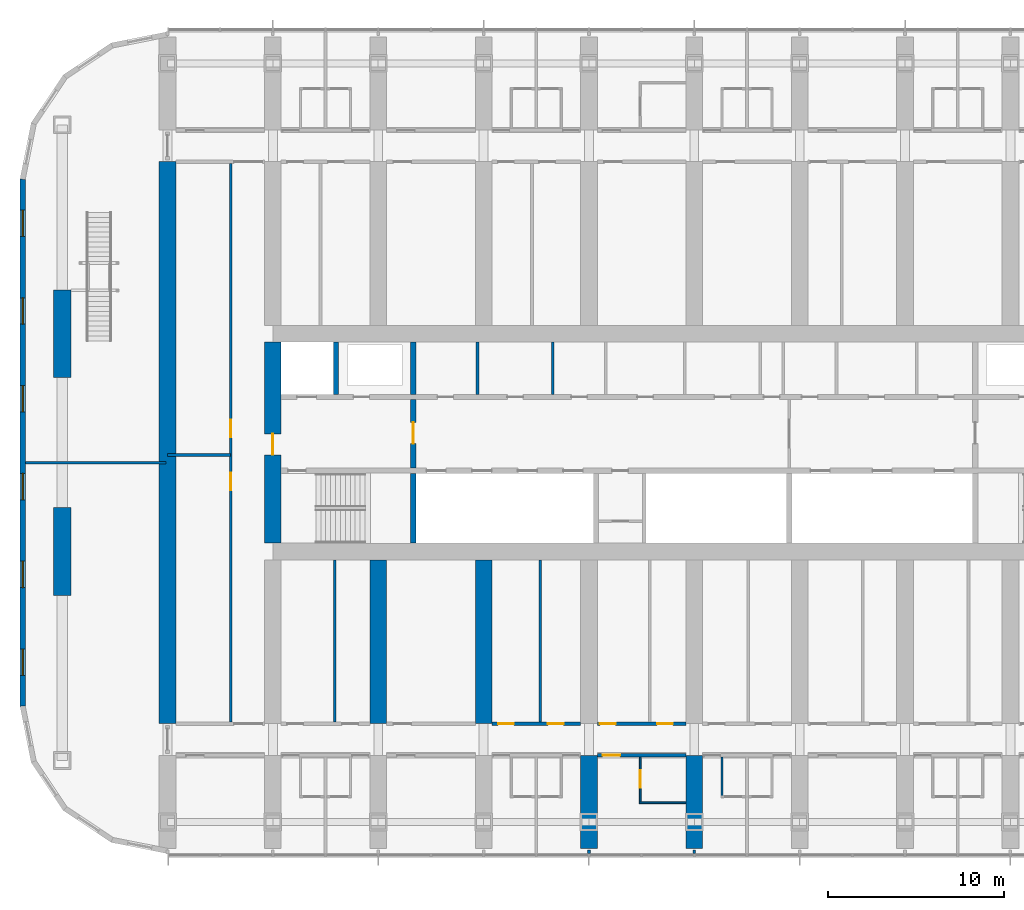
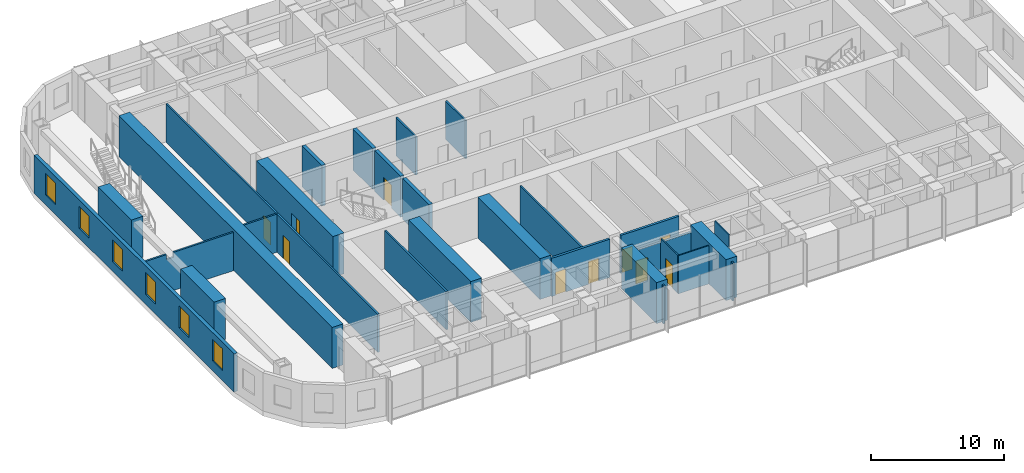
# One storey, part 11 of 25: 28 walls, 10 doors, 6 windows, 16 openings.
"""IFC4 building model written with IfcOpenShell, lengths in metres."""

from ifc_helpers import new_model, si_unit, direction, frame, frame_2d, origin, place, context, subcontext, project, spatial, polyline, rectangle, outline, extrude, material, layer, layer_set, type_object, element, fill, save


model = new_model("IFC4")

# Units and contexts
model_context = context("Model", 3, precision=1e-05, world=origin(), true_north=direction((0.0, 1.0)))
body_context = subcontext(model_context, "Body", "Model", "MODEL_VIEW")
ifc_project = project(units=[si_unit("LENGTHUNIT", "METRE"), si_unit("AREAUNIT", "SQUARE_METRE"), si_unit("VOLUMEUNIT", "CUBIC_METRE"), si_unit("PLANEANGLEUNIT", "RADIAN"), si_unit("MASSUNIT", "GRAM", prefix="KILO")], contexts=[model_context])

# Site, building, storey
site_placement = place(None, origin())
site = spatial("IfcSite", under=ifc_project, at=site_placement, CompositionType="ELEMENT")
building_placement = place(site_placement, origin())
building = spatial("IfcBuilding", under=site, at=building_placement, Name="Orbita Commons", CompositionType="ELEMENT")
storey_placement = place(building_placement, frame((0.0, 0.0, 99.39990234375)))
storey = spatial("IfcBuildingStorey", under=building, at=storey_placement, Name="L24", CompositionType="ELEMENT", Elevation=99.39990234375)

# Wall
ifc_material_1 = material(Name="Concrete C50/60", Category="concrete")
ifc_layer_1 = layer(ifc_material_1, 0.300048828125)
ifc_layer_set_1 = layer_set([ifc_layer_1], Name="Concrete C50/60")
wall_type_1 = type_object("IfcWallType", Name="Core inner wall 300 C50/60", PredefinedType="SHEAR", material=ifc_layer_set_1)
wall_1_placement = place(storey_placement, frame((26.0, 26.27490234375, 0.0), z_axis=(0.0, 0.0, 1.0), x_axis=(0.0, 1.0, 0.0)))
element("IfcWall", 1, at=wall_1_placement, inside=storey, type_object=wall_type_1, Name="Stair S1 wall L24", PredefinedType="SHEAR", context=body_context, shape_type="SweptSolid", body=[
    extrude(rectangle(XDim=3.97509765625, YDim=0.300048828125, at=frame_2d((1.987548828125, 0.0))), origin(), (0.0, 0.0, 1.0), 3.75),
])

# Wall, opening, door
wall_2_placement = place(storey_placement, frame((26.0, 30.550048828125, 0.0), z_axis=(0.0, 0.0, 1.0), x_axis=(0.0, 1.0, 0.0)))
wall_2 = element("IfcWall", 2, at=wall_2_placement, inside=storey, type_object=wall_type_1, Name="Firefighting lobby wall west L24", PredefinedType="SHEAR", context=body_context, shape_type="SweptSolid", body=[
    extrude(rectangle(XDim=3.89990234375, YDim=0.300048828125, at=frame_2d((1.949951171875, 0.0))), origin(), (0.0, 0.0, 1.0), 3.75),
])
opening_1_placement = place(wall_2_placement, frame((1.39990234375, 0.0, 0.0)))
opening_1 = element("IfcOpeningElement", 3, at=opening_1_placement, cuts=wall_2, Name="Opening D04", PredefinedType="OPENING", context=body_context, shape_type="SweptSolid", body=[
    extrude(rectangle(XDim=1.199951171875, YDim=2.10009765625, at=frame_2d((0.60009765625, 1.050048828125))), frame((0.0, 0.159912109375, 0.0), z_axis=(0.0, -1.0, 0.0), x_axis=(1.0, 0.0, 0.0)), (0.0, 0.0, 1.0), 0.320068359375),
])
ifc_material_2 = material(Name="Steel-faced fire door leaf", Category="steel")
door_type_1 = type_object("IfcDoorType", Name="Service door 20 min 1200x2100", OperationType="SINGLE_SWING_LEFT", PredefinedType="DOOR", material=ifc_material_2)
door_1_placement = place(opening_1_placement, origin())
door_1 = element("IfcDoor", 4, at=door_1_placement, inside=storey, type_object=door_type_1, Name="Lift lobby door west", OperationType="SINGLE_SWING_LEFT", OverallHeight=2.10009765625, OverallWidth=1.199951171875, PredefinedType="DOOR", context=body_context, shape_type="SweptSolid", body=[
    extrude(rectangle(XDim=1.199951171875, YDim=2.10009765625, at=frame_2d((0.60009765625, 1.050048828125))), frame((0.0, 0.02490234375, 0.0), z_axis=(0.0, -1.0, 0.0), x_axis=(1.0, 0.0, 0.0)), (0.0, 0.0, 1.0), 0.050048828125),
])
fill(opening_1, door_1)

# Walls
for number, where, z_axis, x_axis, name in (
    (5, (21.60009765625, 34.75, 0.0), (0.0, 0.0, 1.0), (0.0, 1.0, 0.0), "Firefighting lift FL1 shaft wall L24"),
    (6, (26.0, 34.75, 0.0), (0.0, 0.0, 1.0), (0.0, 1.0, 0.0), "Riser wall west L24"),
):
    element("IfcWall", number, at=place(storey_placement, frame(where, z_axis=z_axis, x_axis=x_axis)), inside=storey, type_object=wall_type_1, Name=name, PredefinedType="SHEAR", context=body_context, shape_type="SweptSolid", body=[
        extrude(rectangle(XDim=2.97509765625, YDim=0.300048828125, at=frame_2d((1.487548828125, 0.0))), origin(), (0.0, 0.0, 1.0), 3.75),
    ])
ifc_material_3 = material(Name="Concrete blockwork", Category="masonry")
ifc_layer_2 = layer(ifc_material_3, 0.14990234375)
ifc_layer_set_2 = layer_set([ifc_layer_2], Name="Concrete blockwork")
wall_type_2 = type_object("IfcWallType", Name="Core partition 150 blockwork", PredefinedType="SOLIDWALL", material=ifc_layer_set_2)
for number, where, z_axis, x_axis, name in (
    (7, (29.65087890625, 34.75, 0.0), (0.0, 0.0, 1.0), (0.0, 1.0, 0.0), "Core partition 150 blockwork L24"),
    (8, (33.9462890625, 34.75, 0.0), (0.0, 0.0, 1.0), (0.0, 1.0, 0.0), "Core partition 150 blockwork L24"),
):
    element("IfcWall", number, at=place(storey_placement, frame(where, z_axis=z_axis, x_axis=x_axis)), inside=storey, type_object=wall_type_2, Name=name, PredefinedType="SOLIDWALL", context=body_context, shape_type="SweptSolid", body=[
        extrude(rectangle(XDim=2.97509765625, YDim=0.14990234375, at=frame_2d((1.487548828125, 0.0))), origin(), (0.0, 0.0, 1.0), 3.5),
    ])

# Wall, opening, door
ifc_material_4 = material(Name="Concrete C50/60", Category="concrete")
ifc_layer_3 = layer(ifc_material_4, 0.949951171875)
ifc_layer_set_3 = layer_set([ifc_layer_3], Name="Concrete C50/60")
wall_type_3 = type_object("IfcWallType", Name="Core wall 950 C50/60", PredefinedType="SHEAR", material=ifc_layer_set_3)
wall_3_placement = place(storey_placement, frame((18.0, 26.27490234375, 0.0), z_axis=(0.0, 0.0, 1.0), x_axis=(0.0, 1.0, 0.0)))
wall_3 = element("IfcWall", 9, at=wall_3_placement, inside=storey, type_object=wall_type_3, Name="Core end wall west L24", PredefinedType="SHEAR", context=body_context, shape_type="SweptSolid", body=[
    extrude(rectangle(XDim=11.4501953125, YDim=0.949951171875, at=frame_2d((5.72509765625, 0.0))), origin(), (0.0, 0.0, 1.0), 3.75),
])
opening_2_placement = place(wall_3_placement, frame((5.02490234375, 0.0, 0.0)))
opening_2 = element("IfcOpeningElement", 10, at=opening_2_placement, cuts=wall_3, Name="Opening D01", PredefinedType="OPENING", context=body_context, shape_type="SweptSolid", body=[
    extrude(rectangle(XDim=1.199951171875, YDim=2.10009765625, at=frame_2d((0.60009765625, 1.050048828125))), frame((0.0, 0.48486328125, 0.0), z_axis=(0.0, -1.0, 0.0), x_axis=(1.0, 0.0, 0.0)), (0.0, 0.0, 1.0), 0.969970703125),
])
ifc_material_5 = material(Name="Steel-faced fire door leaf", Category="steel")
door_type_2 = type_object("IfcDoorType", Name="Fire door 90 min 1200x2100", OperationType="SINGLE_SWING_LEFT", PredefinedType="DOOR", material=ifc_material_5)
door_2_placement = place(opening_2_placement, origin())
door_2 = element("IfcDoor", 11, at=door_2_placement, inside=storey, type_object=door_type_2, Name="Firefighting lobby west door", OperationType="SINGLE_SWING_LEFT", OverallHeight=2.10009765625, OverallWidth=1.199951171875, PredefinedType="DOOR", context=body_context, shape_type="SweptSolid", body=[
    extrude(rectangle(XDim=1.199951171875, YDim=2.10009765625, at=frame_2d((0.60009765625, 1.050048828125))), frame((0.0, 0.02490234375, 0.0), z_axis=(0.0, -1.0, 0.0), x_axis=(1.0, 0.0, 0.0)), (0.0, 0.0, 1.0), 0.050048828125),
])
fill(opening_2, door_2)

ifc_material_6 = material(Name="Concrete blockwork", Category="masonry")
ifc_layer_4 = layer(ifc_material_6, 0.199951171875)
ifc_layer_set_4 = layer_set([ifc_layer_4], Name="Concrete blockwork")
wall_type_4 = type_object("IfcWallType", Name="Corridor wall 200 blockwork", PredefinedType="SOLIDWALL", material=ifc_layer_set_4)
wall_4_placement = place(storey_placement, frame((36.47509765625, 14.199951171875, 0.0), z_axis=(0.0, 0.0, 1.0), x_axis=(1.0, 0.0, 0.0)))
wall_4 = element("IfcWall", 12, at=wall_4_placement, inside=storey, type_object=wall_type_4, Name="Corridor wall 200 blockwork L24", PredefinedType="SOLIDWALL", context=body_context, shape_type="SweptSolid", body=[
    extrude(outline(polyline([(0.0, 0.0), (5.0498046875, 0.0), (5.050048828125, 3.10009765625), (0.0, 3.10009765625), (0.0, 0.0)])), frame((0.0, 0.10009765625, 0.0), z_axis=(0.0, -1.0, 0.0), x_axis=(1.0, 0.0, 0.0)), (0.0, 0.0, 1.0), 0.199951171875),
])
opening_3_placement = place(wall_4_placement, frame((0.300048828125, 0.0, 0.0)))
opening_3 = element("IfcOpeningElement", 13, at=opening_3_placement, cuts=wall_4, Name="Opening D06", PredefinedType="OPENING", context=body_context, shape_type="SweptSolid", body=[
    extrude(rectangle(XDim=1.0, YDim=2.10009765625, at=frame_2d((0.5, 1.050048828125))), frame((0.0, 0.10986328125, 0.0), z_axis=(0.0, -1.0, 0.0), x_axis=(1.0, 0.0, 0.0)), (0.0, 0.0, 1.0), 0.219970703125),
])
ifc_material_7 = material(Name="Steel-faced fire door leaf", Category="steel")
door_type_3 = type_object("IfcDoorType", Name="Corridor door 20 min 1000x2100", OperationType="SINGLE_SWING_LEFT", PredefinedType="DOOR", material=ifc_material_7)
door_3_placement = place(opening_3_placement, origin())
door_3 = element("IfcDoor", 14, at=door_3_placement, inside=storey, type_object=door_type_3, Name="Accessible bedroom L24-S08 door", OperationType="SINGLE_SWING_LEFT", OverallHeight=2.10009765625, OverallWidth=1.0, PredefinedType="DOOR", context=body_context, shape_type="SweptSolid", body=[
    extrude(rectangle(XDim=1.0, YDim=2.10009765625, at=frame_2d((0.5, 1.050048828125))), frame((0.0, 0.02490234375, 0.0), z_axis=(0.0, -1.0, 0.0), x_axis=(1.0, 0.0, 0.0)), (0.0, 0.0, 1.0), 0.050048828125),
])
fill(opening_3, door_3)

# Wall, openings, doors
ifc_material_8 = material(Name="Hollow concrete block 200", Category="concrete")
ifc_layer_5 = layer(ifc_material_8, 0.199951171875)
ifc_layer_set_5 = layer_set([ifc_layer_5], Name="Hollow concrete block 200")
wall_type_5 = type_object("IfcWallType", Name="Corridor wall 200 hollow concrete block", PredefinedType="SOLIDWALL", material=ifc_layer_set_5)
wall_5_placement = place(storey_placement, frame((30.47509765625, 16.0, 0.0), z_axis=(0.0, 0.0, 1.0), x_axis=(1.0, 0.0, 0.0)))
wall_5 = element("IfcWall", 15, at=wall_5_placement, inside=storey, type_object=wall_type_5, Name="Corridor wall 200 hollow concrete block L24", PredefinedType="SOLIDWALL", context=body_context, shape_type="SweptSolid", body=[
    extrude(rectangle(XDim=5.0498046875, YDim=0.199951171875, at=frame_2d((2.52490234375, 0.0))), origin(), (0.0, 0.0, 1.0), 3.5),
])
opening_4_placement = place(wall_5_placement, frame((0.35009765625, 0.0, 0.0)))
opening_4 = element("IfcOpeningElement", 16, at=opening_4_placement, cuts=wall_5, Name="Opening D11", PredefinedType="OPENING", context=body_context, shape_type="SweptSolid", body=[
    extrude(rectangle(XDim=0.89990234375, YDim=2.10009765625, at=frame_2d((0.449951171875, 1.050048828125))), frame((0.0, 0.10986328125, 0.0), z_axis=(0.0, -1.0, 0.0), x_axis=(1.0, 0.0, 0.0)), (0.0, 0.0, 1.0), 0.219970703125),
])
opening_5_placement = place(wall_5_placement, frame((3.18505859375, 0.0, 0.0)))
opening_5 = element("IfcOpeningElement", 17, at=opening_5_placement, cuts=wall_5, Name="Opening D11", PredefinedType="OPENING", context=body_context, shape_type="SweptSolid", body=[
    extrude(rectangle(XDim=0.89990234375, YDim=2.10009765625, at=frame_2d((0.449951171875, 1.050048828125))), frame((0.0, 0.10986328125, 0.0), z_axis=(0.0, -1.0, 0.0), x_axis=(1.0, 0.0, 0.0)), (0.0, 0.0, 1.0), 0.219970703125),
])
ifc_material_9 = material(Name="Steel-faced fire door leaf", Category="steel")
door_type_4 = type_object("IfcDoorType", Name="Corridor door 20 min 900x2100", OperationType="SINGLE_SWING_LEFT", PredefinedType="DOOR", material=ifc_material_9)
door_4_placement = place(opening_4_placement, origin())
door_4 = element("IfcDoor", 18, at=door_4_placement, inside=storey, type_object=door_type_4, Name="Fitness room L24-BDS30 door", OperationType="SINGLE_SWING_LEFT", OverallHeight=2.10009765625, OverallWidth=0.89990234375, PredefinedType="DOOR", context=body_context, shape_type="SweptSolid", body=[
    extrude(rectangle(XDim=0.89990234375, YDim=2.10009765625, at=frame_2d((0.449951171875, 1.050048828125))), frame((0.0, 0.02490234375, 0.0), z_axis=(0.0, -1.0, 0.0), x_axis=(1.0, 0.0, 0.0)), (0.0, 0.0, 1.0), 0.050048828125),
])
fill(opening_4, door_4)
door_5_placement = place(opening_5_placement, origin())
door_5 = element("IfcDoor", 19, at=door_5_placement, inside=storey, type_object=door_type_4, Name="Battery and UPS room L24-BDS30n door", OperationType="SINGLE_SWING_LEFT", OverallHeight=2.10009765625, OverallWidth=0.89990234375, PredefinedType="DOOR", context=body_context, shape_type="SweptSolid", body=[
    extrude(rectangle(XDim=0.89990234375, YDim=2.10009765625, at=frame_2d((0.449951171875, 1.050048828125))), frame((0.0, 0.02490234375, 0.0), z_axis=(0.0, -1.0, 0.0), x_axis=(1.0, 0.0, 0.0)), (0.0, 0.0, 1.0), 0.050048828125),
])
fill(opening_5, door_5)

wall_6_placement = place(storey_placement, frame((36.47509765625, 16.0, 0.0), z_axis=(0.0, 0.0, 1.0), x_axis=(1.0, 0.0, 0.0)))
wall_6 = element("IfcWall", 20, at=wall_6_placement, inside=storey, type_object=wall_type_5, Name="Corridor wall 200 hollow concrete block L24", PredefinedType="SOLIDWALL", context=body_context, shape_type="SweptSolid", body=[
    extrude(rectangle(XDim=5.0498046875, YDim=0.199951171875, at=frame_2d((2.52490234375, 0.0))), origin(), (0.0, 0.0, 1.0), 3.5),
])
opening_6_placement = place(wall_6_placement, frame((0.14990234375, 0.0, 0.0)))
opening_6 = element("IfcOpeningElement", 21, at=opening_6_placement, cuts=wall_6, Name="Opening D11", PredefinedType="OPENING", context=body_context, shape_type="SweptSolid", body=[
    extrude(rectangle(XDim=0.89990234375, YDim=2.10009765625, at=frame_2d((0.449951171875, 1.050048828125))), frame((0.0, 0.10986328125, 0.0), z_axis=(0.0, -1.0, 0.0), x_axis=(1.0, 0.0, 0.0)), (0.0, 0.0, 1.0), 0.219970703125),
])
opening_7_placement = place(wall_6_placement, frame((3.405029296875, 0.0, 0.0)))
opening_7 = element("IfcOpeningElement", 22, at=opening_7_placement, cuts=wall_6, Name="Opening D11", PredefinedType="OPENING", context=body_context, shape_type="SweptSolid", body=[
    extrude(rectangle(XDim=0.89990234375, YDim=2.10009765625, at=frame_2d((0.449951171875, 1.050048828125))), frame((0.0, 0.10986328125, 0.0), z_axis=(0.0, -1.0, 0.0), x_axis=(1.0, 0.0, 0.0)), (0.0, 0.0, 1.0), 0.219970703125),
])
door_6_placement = place(opening_6_placement, origin())
door_6 = element("IfcDoor", 23, at=door_6_placement, inside=storey, type_object=door_type_4, Name="Games room L24-BDS36 door", OperationType="SINGLE_SWING_LEFT", OverallHeight=2.10009765625, OverallWidth=0.89990234375, PredefinedType="DOOR", context=body_context, shape_type="SweptSolid", body=[
    extrude(rectangle(XDim=0.89990234375, YDim=2.10009765625, at=frame_2d((0.449951171875, 1.050048828125))), frame((0.0, 0.02490234375, 0.0), z_axis=(0.0, -1.0, 0.0), x_axis=(1.0, 0.0, 0.0)), (0.0, 0.0, 1.0), 0.050048828125),
])
fill(opening_6, door_6)
door_7_placement = place(opening_7_placement, origin())
door_7 = element("IfcDoor", 24, at=door_7_placement, inside=storey, type_object=door_type_4, Name="Sprinkler valve room L24-BDS36n door", OperationType="SINGLE_SWING_LEFT", OverallHeight=2.10009765625, OverallWidth=0.89990234375, PredefinedType="DOOR", context=body_context, shape_type="SweptSolid", body=[
    extrude(rectangle(XDim=0.89990234375, YDim=2.10009765625, at=frame_2d((0.449951171875, 1.050048828125))), frame((0.0, 0.02490234375, 0.0), z_axis=(0.0, -1.0, 0.0), x_axis=(1.0, 0.0, 0.0)), (0.0, 0.0, 1.0), 0.050048828125),
])
fill(opening_7, door_7)

# Walls
ifc_material_10 = material(Name="Concrete C50/60", Category="concrete")
ifc_layer_6 = layer(ifc_material_10, 0.949951171875)
ifc_layer_set_6 = layer_set([ifc_layer_6], Name="Concrete C50/60")
wall_type_6 = type_object("IfcWallType", Name="Cross wall 950 C50/60", PredefinedType="SHEAR", material=ifc_layer_set_6)
wall_7_placement = place(storey_placement, frame((12.0, 16.0, 0.0), z_axis=(0.0, 0.0, 1.0), x_axis=(0.0, 1.0, 0.0)))
element("IfcWall", 25, at=wall_7_placement, inside=storey, type_object=wall_type_6, Name="Cross wall 3 inner L24", PredefinedType="SHEAR", context=body_context, shape_type="SweptSolid", body=[
    extrude(rectangle(XDim=32.0, YDim=0.949951171875, at=frame_2d((16.0, 0.0))), origin(), (0.0, 0.0, 1.0), 3.75),
])
for number, where, z_axis, x_axis, name in (
    (26, (24.0, 16.0, 0.0), (0.0, 0.0, 1.0), (0.0, 1.0, 0.0), "Cross wall 5 south inner L24"),
    (27, (30.0, 16.0, 0.0), (0.0, 0.0, 1.0), (0.0, 1.0, 0.0), "Cross wall 6 south inner L24"),
):
    element("IfcWall", number, at=place(storey_placement, frame(where, z_axis=z_axis, x_axis=x_axis)), inside=storey, type_object=wall_type_6, Name=name, PredefinedType="SHEAR", context=body_context, shape_type="SweptSolid", body=[
        extrude(rectangle(XDim=9.324951171875, YDim=0.949951171875, at=frame_2d((4.66259765625, 0.0))), origin(), (0.0, 0.0, 1.0), 3.75),
    ])
for number, where, z_axis, x_axis, name in (
    (28, (36.0, 8.89990234375, 0.0), (0.0, 0.0, 1.0), (0.0, 1.0, 0.0), "Cross wall 7 south outer L24"),
    (29, (42.0, 8.89990234375, 0.0), (0.0, 0.0, 1.0), (0.0, 1.0, 0.0), "Cross wall 8 south outer L24"),
):
    element("IfcWall", number, at=place(storey_placement, frame(where, z_axis=z_axis, x_axis=x_axis)), inside=storey, type_object=wall_type_6, Name=name, PredefinedType="SHEAR", context=body_context, shape_type="SweptSolid", body=[
        extrude(rectangle(XDim=5.300048828125, YDim=0.949951171875, at=frame_2d((2.64990234375, 0.0))), origin(), (0.0, 0.0, 1.0), 3.75),
    ])
ifc_material_11 = material(Name="Moisture-resistant plasterboard on steel studs", Category="steel")
ifc_layer_7 = layer(ifc_material_11, 0.10009765625)
ifc_layer_set_7 = layer_set([ifc_layer_7], Name="Moisture-resistant plasterboard on steel studs")
wall_type_7 = type_object("IfcWallType", Name="En-suite partition 100", PredefinedType="PARTITIONING", material=ifc_layer_set_7)
wall_8_placement = place(storey_placement, frame((38.875, 11.5, 0.0), z_axis=(0.0, 0.0, 1.0), x_axis=(1.0, 0.0, 0.0)))
element("IfcWall", 30, at=wall_8_placement, inside=storey, type_object=wall_type_7, Name="En-suite partition 100 L24", PredefinedType="PARTITIONING", context=body_context, shape_type="SweptSolid", body=[
    extrude(rectangle(XDim=2.64990234375, YDim=0.10009765625, at=frame_2d((1.324951171875, 0.0))), origin(), (0.0, 0.0, 1.0), 3.5),
])

# Wall, opening, door
wall_9_placement = place(storey_placement, frame((38.925048828125, 11.550048828125, 0.0), z_axis=(0.0, 0.0, 1.0), x_axis=(0.0, 1.0, 0.0)))
wall_9 = element("IfcWall", 31, at=wall_9_placement, inside=storey, type_object=wall_type_7, Name="En-suite partition 100 L24", PredefinedType="PARTITIONING", context=body_context, shape_type="SweptSolid", body=[
    extrude(outline(polyline([(0.0, 0.0), (2.550048828125, 0.0), (2.550048828125, 3.10009765625), (2.501953125, 3.10009765625), (2.5, 3.5), (0.0, 3.5), (0.0, 0.0)])), frame((0.0, 0.050048828125, 0.0), z_axis=(0.0, -1.0, 0.0), x_axis=(1.0, 0.0, 0.0)), (0.0, 0.0, 1.0), 0.10009765625),
])
opening_8_placement = place(wall_9_placement, frame((0.800048828125, 0.0, 0.0)))
opening_8 = element("IfcOpeningElement", 32, at=opening_8_placement, cuts=wall_9, Name="Opening D13", PredefinedType="OPENING", context=body_context, shape_type="SweptSolid", body=[
    extrude(rectangle(XDim=1.0, YDim=2.10009765625, at=frame_2d((0.5, 1.050048828125))), frame((0.0, 0.06005859375, 0.0), z_axis=(0.0, -1.0, 0.0), x_axis=(1.0, 0.0, 0.0)), (0.0, 0.0, 1.0), 0.1201171875),
])
ifc_material_12 = material(Name="Laminated timber door leaf", Category="wood")
door_type_5 = type_object("IfcDoorType", Name="En-suite door 1000x2100", OperationType="SINGLE_SWING_RIGHT", PredefinedType="DOOR", material=ifc_material_12)
door_8_placement = place(opening_8_placement, origin())
door_8 = element("IfcDoor", 33, at=door_8_placement, inside=storey, type_object=door_type_5, Name="Accessible shower room L24-S08 door", OperationType="SINGLE_SWING_RIGHT", OverallHeight=2.10009765625, OverallWidth=1.0, PredefinedType="DOOR", context=body_context, shape_type="SweptSolid", body=[
    extrude(rectangle(XDim=1.0, YDim=2.10009765625, at=frame_2d((0.5, 1.050048828125))), frame((0.0, 0.02490234375, 0.0), z_axis=(0.0, -1.0, 0.0), x_axis=(1.0, 0.0, 0.0)), (0.0, 0.0, 1.0), 0.050048828125),
])
fill(opening_8, door_8)

# Walls
wall_10_placement = place(storey_placement, frame((43.574951171875, 11.890625, 0.0), z_axis=(0.0, 0.0, 1.0), x_axis=(0.0, 1.0, 0.0)))
element("IfcWall", 34, at=wall_10_placement, inside=storey, type_object=wall_type_7, Name="En-suite partition 100 L24", PredefinedType="PARTITIONING", context=body_context, shape_type="SweptSolid", body=[
    extrude(outline(polyline([(0.0, 0.0), (2.20947265625, 0.0), (2.209228515625, 3.10009765625), (2.161376953125, 3.10009765625), (2.1591796875, 3.5), (0.0, 3.5), (0.0, 0.0)])), frame((0.0, 0.050048828125, 0.0), z_axis=(0.0, -1.0, 0.0), x_axis=(1.0, 0.0, 0.0)), (0.0, 0.0, 1.0), 0.10009765625),
])
ifc_material_13 = material(Name="Concrete C50/60", Category="concrete")
ifc_layer_8 = layer(ifc_material_13, 1.0)
ifc_layer_set_8 = layer_set([ifc_layer_8], Name="Concrete C50/60")
wall_type_8 = type_object("IfcWallType", Name="End pier 1000x5000 C50/60", PredefinedType="SHEAR", material=ifc_layer_set_8)
for number, where, z_axis, x_axis, name in (
    (35, (6.0, 23.300048828125, 0.0), (0.0, 0.0, 1.0), (0.0, 1.0, 0.0), "End pier 2/C L24"),
    (36, (6.0, 35.699951171875, 0.0), (0.0, 0.0, 1.0), (0.0, 1.0, 0.0), "End pier 2/D L24"),
):
    element("IfcWall", number, at=place(storey_placement, frame(where, z_axis=z_axis, x_axis=x_axis)), inside=storey, type_object=wall_type_8, Name=name, PredefinedType="SHEAR", context=body_context, shape_type="SweptSolid", body=[
        extrude(rectangle(XDim=5.0, YDim=1.0, at=frame_2d((2.5, 0.0))), origin(), (0.0, 0.0, 1.0), 3.75),
    ])
ifc_material_14 = material(Name="Gypsum plasterboard on steel studs", Category="steel")
ifc_layer_9 = layer(ifc_material_14, 0.14990234375)
ifc_layer_set_9 = layer_set([ifc_layer_9], Name="Gypsum plasterboard on steel studs")
wall_type_9 = type_object("IfcWallType", Name="Partition 150 plasterboard", PredefinedType="PARTITIONING", material=ifc_layer_set_9)
for number, where, z_axis, x_axis, name in (
    (37, (21.52490234375, 16.10009765625, 0.0), (0.0, 0.0, 1.0), (0.0, 1.0, 0.0), "Partition 150 plasterboard L24"),
    (38, (33.235107421875, 16.10009765625, 0.0), (0.0, 0.0, 1.0), (0.0, 1.0, 0.0), "Partition 150 plasterboard L24"),
):
    element("IfcWall", number, at=place(storey_placement, frame(where, z_axis=z_axis, x_axis=x_axis)), inside=storey, type_object=wall_type_9, Name=name, PredefinedType="PARTITIONING", context=body_context, shape_type="SweptSolid", body=[
        extrude(rectangle(XDim=9.224853515625, YDim=0.14990234375, at=frame_2d((4.6123046875, 0.0))), origin(), (0.0, 0.0, 1.0), 3.5),
    ])

# Wall, openings, doors
wall_11_placement = place(storey_placement, frame((15.60009765625, 16.10009765625, 0.0), z_axis=(0.0, 0.0, 1.0), x_axis=(0.0, 1.0, 0.0)))
wall_11 = element("IfcWall", 39, at=wall_11_placement, inside=storey, type_object=wall_type_9, Name="Partition 150 plasterboard L24", PredefinedType="PARTITIONING", context=body_context, shape_type="SweptSolid", body=[
    extrude(rectangle(XDim=31.7998046875, YDim=0.14990234375, at=frame_2d((15.89990234375, 0.0))), origin(), (0.0, 0.0, 1.0), 3.5),
])
opening_9_placement = place(wall_11_placement, frame((13.199951171875, 0.0, 0.0)))
opening_9 = element("IfcOpeningElement", 40, at=opening_9_placement, cuts=wall_11, Name="Opening D06", PredefinedType="OPENING", context=body_context, shape_type="SweptSolid", body=[
    extrude(rectangle(XDim=1.0, YDim=2.10009765625, at=frame_2d((0.5, 1.050048828125))), frame((0.0, 0.0849609375, 0.0), z_axis=(0.0, -1.0, 0.0), x_axis=(1.0, 0.0, 0.0)), (0.0, 0.0, 1.0), 0.169921875),
])
opening_10_placement = place(wall_11_placement, frame((16.199951171875, 0.0, 0.0)))
opening_10 = element("IfcOpeningElement", 41, at=opening_10_placement, cuts=wall_11, Name="Opening D06", PredefinedType="OPENING", context=body_context, shape_type="SweptSolid", body=[
    extrude(rectangle(XDim=1.0, YDim=2.10009765625, at=frame_2d((0.5, 1.050048828125))), frame((0.0, 0.0849609375, 0.0), z_axis=(0.0, -1.0, 0.0), x_axis=(1.0, 0.0, 0.0)), (0.0, 0.0, 1.0), 0.169921875),
])
door_9_placement = place(opening_9_placement, origin())
door_9 = element("IfcDoor", 42, at=door_9_placement, inside=storey, type_object=door_type_3, Name="Quiet room door", OperationType="SINGLE_SWING_LEFT", OverallHeight=2.10009765625, OverallWidth=1.0, PredefinedType="DOOR", context=body_context, shape_type="SweptSolid", body=[
    extrude(rectangle(XDim=1.0, YDim=2.10009765625, at=frame_2d((0.5, 1.050048828125))), frame((0.0, 0.02490234375, 0.0), z_axis=(0.0, -1.0, 0.0), x_axis=(1.0, 0.0, 0.0)), (0.0, 0.0, 1.0), 0.050048828125),
])
fill(opening_9, door_9)
door_10_placement = place(opening_10_placement, origin())
door_10 = element("IfcDoor", 43, at=door_10_placement, inside=storey, type_object=door_type_3, Name="Prayer room door", OperationType="SINGLE_SWING_LEFT", OverallHeight=2.10009765625, OverallWidth=1.0, PredefinedType="DOOR", context=body_context, shape_type="SweptSolid", body=[
    extrude(rectangle(XDim=1.0, YDim=2.10009765625, at=frame_2d((0.5, 1.050048828125))), frame((0.0, 0.02490234375, 0.0), z_axis=(0.0, -1.0, 0.0), x_axis=(1.0, 0.0, 0.0)), (0.0, 0.0, 1.0), 0.050048828125),
])
fill(opening_10, door_10)

# Walls
wall_12_placement = place(storey_placement, frame((12.0, 31.300048828125, 0.0), z_axis=(0.0, 0.0, 1.0), x_axis=(1.0, 0.0, 0.0)))
element("IfcWall", 44, at=wall_12_placement, inside=storey, type_object=wall_type_9, Name="Partition 150 plasterboard L24", PredefinedType="PARTITIONING", context=body_context, shape_type="SweptSolid", body=[
    extrude(rectangle(XDim=3.60009765625, YDim=0.14990234375, at=frame_2d((1.800048828125, 0.0))), origin(), (0.0, 0.0, 1.0), 3.5),
])
wall_13_placement = place(storey_placement, frame((3.905029296875, 30.85009765625, 0.0), z_axis=(0.0, 0.0, 1.0), x_axis=(1.0, 0.0, 0.0)))
element("IfcWall", 45, at=wall_13_placement, inside=storey, type_object=wall_type_9, Name="Partition 150 plasterboard L24", PredefinedType="PARTITIONING", context=body_context, shape_type="SweptSolid", body=[
    extrude(outline(polyline([(0.0, 0.0), (8.02001953125, 0.0), (8.02001953125, 3.5), (2.39697265625, 3.5), (2.39501953125, 3.050048828125), (1.797119140625, 3.050048828125), (1.794921875, 3.5), (0.0, 3.5), (0.0, 0.0)])), frame((0.0, 0.074951171875, 0.0), z_axis=(0.0, -1.0, 0.0), x_axis=(1.0, 0.0, 0.0)), (0.0, 0.0, 1.0), 0.14990234375),
])
for number, where, z_axis, x_axis, name in (
    (46, (36.0, 8.800048828125, 0.0), (0.0, 0.0, 1.0), (0.0, -1.0, 0.0), "Partition 150 plasterboard L24"),
    (47, (42.0, 8.800048828125, 0.0), (0.0, 0.0, 1.0), (0.0, -1.0, 0.0), "Partition 150 plasterboard L24"),
):
    element("IfcWall", number, at=place(storey_placement, frame(where, z_axis=z_axis, x_axis=x_axis)), inside=storey, type_object=wall_type_9, Name=name, PredefinedType="PARTITIONING", context=body_context, shape_type="SweptSolid", body=[
        extrude(rectangle(XDim=0.18994140625, YDim=0.14990234375, at=frame_2d((0.094970703125, 0.0))), origin(), (0.0, 0.0, 1.0), 3.5),
    ])

# Wall, openings, windows
ifc_material_15 = material(Name="Precast concrete C40/50, white board-marked finish", Category="concrete")
ifc_layer_10 = layer(ifc_material_15, 0.300048828125)
ifc_layer_set_10 = layer_set([ifc_layer_10], Name="Precast concrete C40/50, white board-marked finish")
wall_type_10 = type_object("IfcWallType", Name="Precast concrete end shield 300", PredefinedType="SOLIDWALL", material=ifc_layer_set_10)
wall_14_placement = place(storey_placement, frame((3.75, 47.0, 0.0), z_axis=(0.0, 0.0, 1.0), x_axis=(0.0, -1.0, 0.0)))
wall_14 = element("IfcWall", 48, at=wall_14_placement, inside=storey, type_object=wall_type_10, Name="End shield W L24", PredefinedType="SOLIDWALL", context=body_context, shape_type="SweptSolid", body=[
    extrude(outline(polyline([(-0.014892578125, -0.14990234375), (30.014892578125, -0.14990234375), (29.985107421875, 0.14990234375), (0.014892578125, 0.14990234375), (-0.014892578125, -0.14990234375)])), origin(), (0.0, 0.0, 1.0), 3.5),
])
opening_11_placement = place(wall_14_placement, frame((1.75, 0.0, 0.89990234375)))
opening_11 = element("IfcOpeningElement", 49, at=opening_11_placement, cuts=wall_14, Name="Opening W01", PredefinedType="OPENING", context=body_context, shape_type="SweptSolid", body=[
    extrude(rectangle(XDim=1.5, YDim=2.0, at=frame_2d((0.75, 1.0))), frame((0.0, 0.159912109375, 0.0), z_axis=(0.0, -1.0, 0.0), x_axis=(1.0, 0.0, 0.0)), (0.0, 0.0, 1.0), 0.320068359375),
])
opening_12_placement = place(wall_14_placement, frame((6.75, 0.0, 0.89990234375)))
opening_12 = element("IfcOpeningElement", 50, at=opening_12_placement, cuts=wall_14, Name="Opening W01", PredefinedType="OPENING", context=body_context, shape_type="SweptSolid", body=[
    extrude(rectangle(XDim=1.5, YDim=2.0, at=frame_2d((0.75, 1.0))), frame((0.0, 0.159912109375, 0.0), z_axis=(0.0, -1.0, 0.0), x_axis=(1.0, 0.0, 0.0)), (0.0, 0.0, 1.0), 0.320068359375),
])
opening_13_placement = place(wall_14_placement, frame((11.75, 0.0, 0.89990234375)))
opening_13 = element("IfcOpeningElement", 51, at=opening_13_placement, cuts=wall_14, Name="Opening W01", PredefinedType="OPENING", context=body_context, shape_type="SweptSolid", body=[
    extrude(rectangle(XDim=1.5, YDim=2.0, at=frame_2d((0.75, 1.0))), frame((0.0, 0.159912109375, 0.0), z_axis=(0.0, -1.0, 0.0), x_axis=(1.0, 0.0, 0.0)), (0.0, 0.0, 1.0), 0.320068359375),
])
opening_14_placement = place(wall_14_placement, frame((16.75, 0.0, 0.89990234375)))
opening_14 = element("IfcOpeningElement", 52, at=opening_14_placement, cuts=wall_14, Name="Opening W01", PredefinedType="OPENING", context=body_context, shape_type="SweptSolid", body=[
    extrude(rectangle(XDim=1.5, YDim=2.0, at=frame_2d((0.75, 1.0))), frame((0.0, 0.159912109375, 0.0), z_axis=(0.0, -1.0, 0.0), x_axis=(1.0, 0.0, 0.0)), (0.0, 0.0, 1.0), 0.320068359375),
])
opening_15_placement = place(wall_14_placement, frame((21.75, 0.0, 0.89990234375)))
opening_15 = element("IfcOpeningElement", 53, at=opening_15_placement, cuts=wall_14, Name="Opening W01", PredefinedType="OPENING", context=body_context, shape_type="SweptSolid", body=[
    extrude(rectangle(XDim=1.5, YDim=2.0, at=frame_2d((0.75, 1.0))), frame((0.0, 0.159912109375, 0.0), z_axis=(0.0, -1.0, 0.0), x_axis=(1.0, 0.0, 0.0)), (0.0, 0.0, 1.0), 0.320068359375),
])
opening_16_placement = place(wall_14_placement, frame((26.75, 0.0, 0.89990234375)))
opening_16 = element("IfcOpeningElement", 54, at=opening_16_placement, cuts=wall_14, Name="Opening W01", PredefinedType="OPENING", context=body_context, shape_type="SweptSolid", body=[
    extrude(rectangle(XDim=1.5, YDim=2.0, at=frame_2d((0.75, 1.0))), frame((0.0, 0.159912109375, 0.0), z_axis=(0.0, -1.0, 0.0), x_axis=(1.0, 0.0, 0.0)), (0.0, 0.0, 1.0), 0.320068359375),
])
ifc_material_16 = material(Name="Aluminium frame, clear double glazing", Category="aluminium")
window_type = type_object("IfcWindowType", Name="Deep-set window 1500x2000", PartitioningType="SINGLE_PANEL", PredefinedType="WINDOW", material=ifc_material_16)
window_1_placement = place(opening_11_placement, origin())
window_1 = element("IfcWindow", 55, at=window_1_placement, inside=storey, type_object=window_type, Name="Window L24-W 1", OverallHeight=2.0, OverallWidth=1.5, PartitioningType="SINGLE_PANEL", PredefinedType="WINDOW", context=body_context, shape_type="SweptSolid", body=[
    extrude(rectangle(XDim=1.5, YDim=2.0, at=frame_2d((0.75, 1.0))), frame((0.0, 0.030029296875, 0.0), z_axis=(0.0, -1.0, 0.0), x_axis=(1.0, 0.0, 0.0)), (0.0, 0.0, 1.0), 0.06005859375),
])
fill(opening_11, window_1)
window_2_placement = place(opening_12_placement, origin())
window_2 = element("IfcWindow", 56, at=window_2_placement, inside=storey, type_object=window_type, Name="Window L24-W 2", OverallHeight=2.0, OverallWidth=1.5, PartitioningType="SINGLE_PANEL", PredefinedType="WINDOW", context=body_context, shape_type="SweptSolid", body=[
    extrude(rectangle(XDim=1.5, YDim=2.0, at=frame_2d((0.75, 1.0))), frame((0.0, 0.030029296875, 0.0), z_axis=(0.0, -1.0, 0.0), x_axis=(1.0, 0.0, 0.0)), (0.0, 0.0, 1.0), 0.06005859375),
])
fill(opening_12, window_2)
window_3_placement = place(opening_13_placement, origin())
window_3 = element("IfcWindow", 57, at=window_3_placement, inside=storey, type_object=window_type, Name="Window L24-W 3", OverallHeight=2.0, OverallWidth=1.5, PartitioningType="SINGLE_PANEL", PredefinedType="WINDOW", context=body_context, shape_type="SweptSolid", body=[
    extrude(rectangle(XDim=1.5, YDim=2.0, at=frame_2d((0.75, 1.0))), frame((0.0, 0.030029296875, 0.0), z_axis=(0.0, -1.0, 0.0), x_axis=(1.0, 0.0, 0.0)), (0.0, 0.0, 1.0), 0.06005859375),
])
fill(opening_13, window_3)
window_4_placement = place(opening_14_placement, origin())
window_4 = element("IfcWindow", 58, at=window_4_placement, inside=storey, type_object=window_type, Name="Window L24-W 4", OverallHeight=2.0, OverallWidth=1.5, PartitioningType="SINGLE_PANEL", PredefinedType="WINDOW", context=body_context, shape_type="SweptSolid", body=[
    extrude(rectangle(XDim=1.5, YDim=2.0, at=frame_2d((0.75, 1.0))), frame((0.0, 0.030029296875, 0.0), z_axis=(0.0, -1.0, 0.0), x_axis=(1.0, 0.0, 0.0)), (0.0, 0.0, 1.0), 0.06005859375),
])
fill(opening_14, window_4)
window_5_placement = place(opening_15_placement, origin())
window_5 = element("IfcWindow", 59, at=window_5_placement, inside=storey, type_object=window_type, Name="Window L24-W 5", OverallHeight=2.0, OverallWidth=1.5, PartitioningType="SINGLE_PANEL", PredefinedType="WINDOW", context=body_context, shape_type="SweptSolid", body=[
    extrude(rectangle(XDim=1.5, YDim=2.0, at=frame_2d((0.75, 1.0))), frame((0.0, 0.030029296875, 0.0), z_axis=(0.0, -1.0, 0.0), x_axis=(1.0, 0.0, 0.0)), (0.0, 0.0, 1.0), 0.06005859375),
])
fill(opening_15, window_5)
window_6_placement = place(opening_16_placement, origin())
window_6 = element("IfcWindow", 60, at=window_6_placement, inside=storey, type_object=window_type, Name="Window L24-W 6", OverallHeight=2.0, OverallWidth=1.5, PartitioningType="SINGLE_PANEL", PredefinedType="WINDOW", context=body_context, shape_type="SweptSolid", body=[
    extrude(rectangle(XDim=1.5, YDim=2.0, at=frame_2d((0.75, 1.0))), frame((0.0, 0.030029296875, 0.0), z_axis=(0.0, -1.0, 0.0), x_axis=(1.0, 0.0, 0.0)), (0.0, 0.0, 1.0), 0.06005859375),
])
fill(opening_16, window_6)

save(model, "model.ifc")
